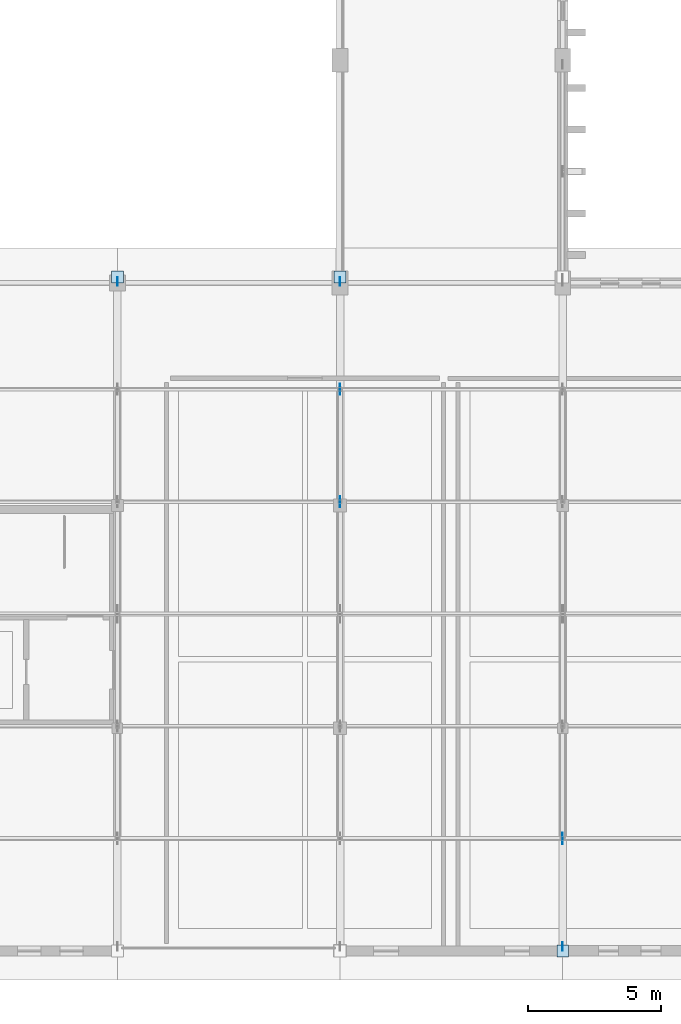
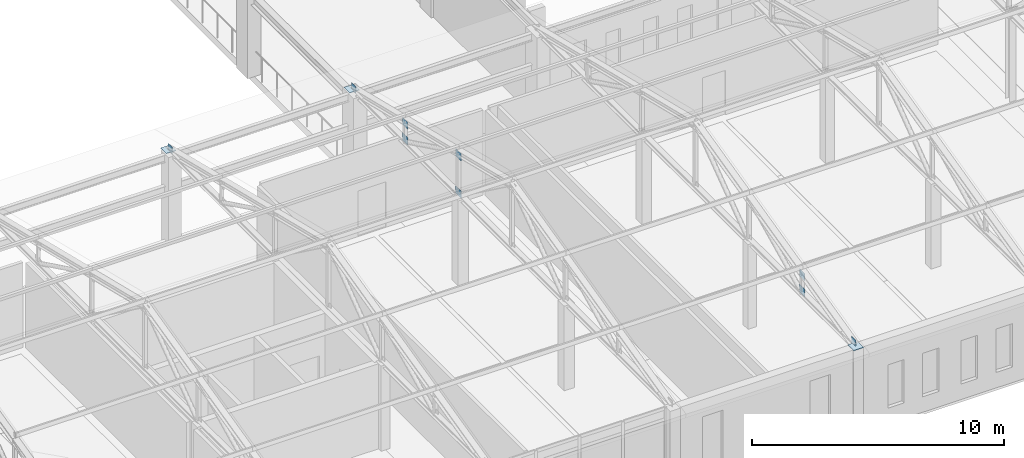
# One storey, part 134 of 192: 12 plates.
"""IFC4 building model written with IfcOpenShell, lengths in metres."""

from ifc_helpers import new_model, si_unit, direction, frame, origin, origin_2d, place, context, subcontext, project, spatial, rectangle, extrude, material, layer, layer_set, type_object, element, save


model = new_model("IFC4")

# Units and contexts
model_context = context("Model", 3, precision=1e-05, world=origin(), true_north=direction((0.0, 1.0)))
body_context = subcontext(model_context, "Body", "Model", "MODEL_VIEW")
ifc_project = project(units=[si_unit("LENGTHUNIT", "METRE"), si_unit("AREAUNIT", "SQUARE_METRE"), si_unit("VOLUMEUNIT", "CUBIC_METRE"), si_unit("PLANEANGLEUNIT", "RADIAN"), si_unit("MASSUNIT", "GRAM", prefix="KILO")], contexts=[model_context])

# Site, building, storey
site_placement = place(None, origin())
site = spatial("IfcSite", under=ifc_project, at=site_placement, CompositionType="ELEMENT")
building_placement = place(site_placement, origin())
building = spatial("IfcBuilding", under=site, at=building_placement, Name="Kveldsbrygga Polytechnic", CompositionType="ELEMENT")
storey_placement = place(building_placement, frame((0.0, 0.0, 5.43994140625)))
storey = spatial("IfcBuildingStorey", under=building, at=storey_placement, Name="L01", CompositionType="ELEMENT", Elevation=5.43994140625)

# Plates
ifc_material = material(Name="Steel S355", Category="steel")
ifc_layer_1 = layer(ifc_material, 0.030029296875)
ifc_layer_set_1 = layer_set([ifc_layer_1], Name="Steel S355")
plate_type_1 = type_object("IfcPlateType", Name="CAP-BEAR-450", PredefinedType="SHEET", material=ifc_layer_set_1)
for number, where, z_axis, x_axis, name in (
    (1, (16.800048828125, 25.419921875, 4.08984375), (0.0, 0.0, 1.0), (1.0, 0.0, 0.0), "Truss Bearing Plate V5S-T03-B"),
    (2, (25.199951171875, 25.419921875, 4.08984375), (0.0, 0.0, 1.0), (1.0, 0.0, 0.0), "Truss Bearing Plate V5S-T04-B"),
    (3, (33.60009765625, 0.0, 4.08984375), (0.0, 0.0, 1.0), (1.0, 0.0, 0.0), "Truss Bearing Plate V5S-T05-A"),
):
    element("IfcPlate", number, at=place(storey_placement, frame(where, z_axis=z_axis, x_axis=x_axis)), inside=storey, type_object=plate_type_1, Name=name, PredefinedType="SHEET", context=body_context, shape_type="SweptSolid", body=[
        extrude(rectangle(XDim=0.449951171875, YDim=0.449951171875, at=origin_2d()), origin(), (0.0, 0.0, 1.0), 0.030029296875),
    ])
ifc_layer_2 = layer(ifc_material, 0.01806640625)
ifc_layer_set_2 = layer_set([ifc_layer_2], Name="Steel S355")
plate_type_2 = type_object("IfcPlateType", Name="GUS-BRACE-320", PredefinedType="SHEET", material=ifc_layer_set_2)
for number, where, z_axis, x_axis, name in (
    (4, (16.800048828125, 25.260009765625, 4.080078125), (0.0, 0.0, 1.0), (1.0, 0.0, 0.0), "Truss Eaves Node Gusset V5S-T03-EGP-B"),
    (5, (25.199951171875, 25.260009765625, 4.080078125), (0.0, 0.0, 1.0), (1.0, 0.0, 0.0), "Truss Eaves Node Gusset V5S-T04-EGP-B"),
    (6, (33.60009765625, 0.159912109375, 4.080078125), (0.0, 0.0, 1.0), (1.0, 0.0, 0.0), "Truss Eaves Node Gusset V5S-T05-EGP-A"),
):
    element("IfcPlate", number, at=place(storey_placement, frame(where, z_axis=z_axis, x_axis=x_axis)), inside=storey, type_object=plate_type_2, Name=name, PredefinedType="SHEET", context=body_context, shape_type="SweptSolid", body=[
        extrude(rectangle(XDim=0.01806640625, YDim=0.320068359375, at=origin_2d()), origin(), (0.0, 0.0, 1.0), 0.320068359375),
    ])
ifc_layer_3 = layer(ifc_material, 0.02001953125)
ifc_layer_set_3 = layer_set([ifc_layer_3], Name="Steel S355")
plate_type_3 = type_object("IfcPlateType", Name="GUS-LECT-420", PredefinedType="SHEET", material=ifc_layer_set_3)
for number, where, z_axis, x_axis, name in (
    (7, (25.199951171875, 16.94677734375, 5.861572265625), (0.0, 0.0, 1.0), (1.0, 0.0, 0.0), "Truss Gusset Plate V5S-T04-GP-4"),
    (8, (25.199951171875, 16.94677734375, 4.06494140625), (0.0, 0.0, 1.0), (1.0, 0.0, 0.0), "Truss Bottom-Chord Node Gusset V5S-T04-BGP-4"),
    (9, (25.199951171875, 21.183349609375, 4.828369140625), (0.0, 0.0, 1.0), (1.0, 0.0, 0.0), "Truss Gusset Plate V5S-T04-GP-5"),
    (10, (25.199951171875, 21.183349609375, 4.06494140625), (0.0, 0.0, 1.0), (1.0, 0.0, 0.0), "Truss Bottom-Chord Node Gusset V5S-T04-BGP-5"),
    (11, (33.60009765625, 4.236572265625, 4.828369140625), (0.0, 0.0, 1.0), (1.0, 0.0, 0.0), "Truss Gusset Plate V5S-T05-GP-1"),
    (12, (33.60009765625, 4.236572265625, 4.06494140625), (0.0, 0.0, 1.0), (1.0, 0.0, 0.0), "Truss Bottom-Chord Node Gusset V5S-T05-BGP-1"),
):
    element("IfcPlate", number, at=place(storey_placement, frame(where, z_axis=z_axis, x_axis=x_axis)), inside=storey, type_object=plate_type_3, Name=name, PredefinedType="SHEET", context=body_context, shape_type="SweptSolid", body=[
        extrude(rectangle(XDim=0.02001953125, YDim=0.419921875, at=origin_2d()), origin(), (0.0, 0.0, 1.0), 0.35009765625),
    ])

save(model, "model.ifc")
